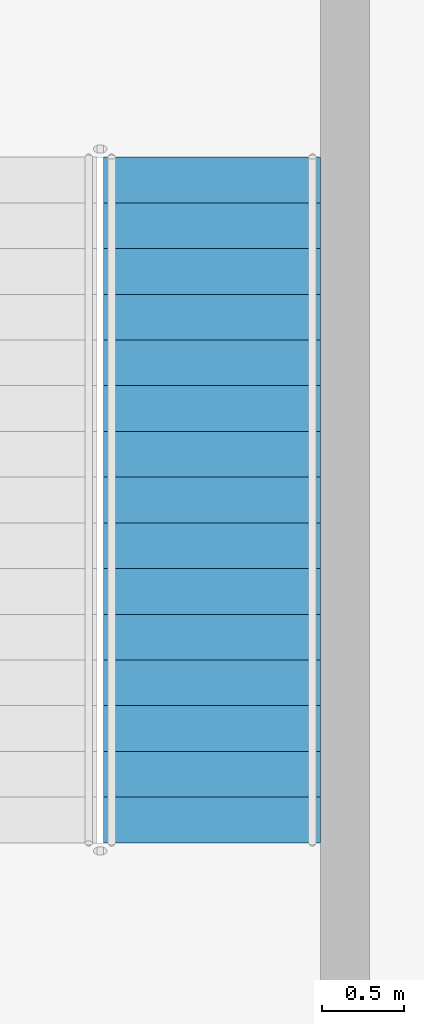
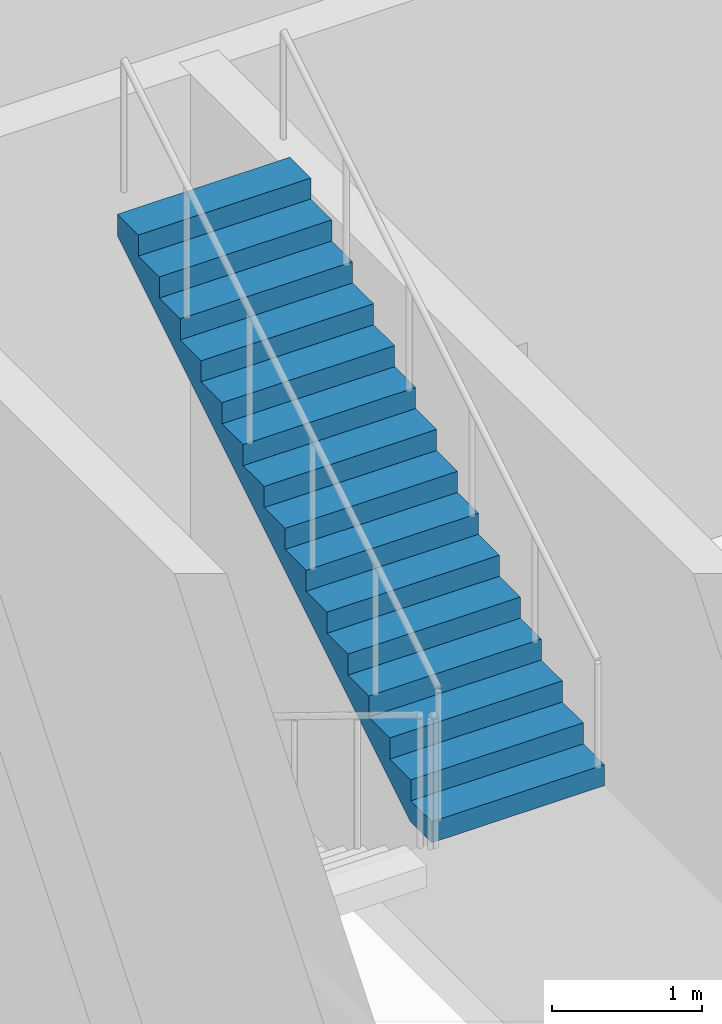
# One storey, part 10 of 23: 1 stair flight, 1 element without a shape of its own.
"""IFC4 building model written with IfcOpenShell, lengths in metres."""

from ifc_helpers import new_model, si_unit, direction, frame, origin, place, context, subcontext, project, spatial, triangles, source, transform, mapped, material, type_object, element, aggregate, save


model = new_model("IFC4")

# Units and contexts
model_context = context("Model", 3, precision=1e-05, world=origin(), true_north=direction((0.0, 1.0)))
body_context = subcontext(model_context, "Body", "Model", "MODEL_VIEW")
ifc_project = project(units=[si_unit("LENGTHUNIT", "METRE"), si_unit("AREAUNIT", "SQUARE_METRE"), si_unit("VOLUMEUNIT", "CUBIC_METRE"), si_unit("PLANEANGLEUNIT", "RADIAN"), si_unit("MASSUNIT", "GRAM", prefix="KILO")], contexts=[model_context])

# Site, building, storey
site_placement = place(None, origin())
site = spatial("IfcSite", under=ifc_project, at=site_placement, CompositionType="ELEMENT")
building_placement = place(site_placement, origin())
building = spatial("IfcBuilding", under=site, at=building_placement, Name="Ogive Portal Towers", CompositionType="ELEMENT")
storey_placement = place(building_placement, frame((0.0, 0.0, 81.60009765625)))
storey = spatial("IfcBuildingStorey", under=building, at=storey_placement, Name="L19", CompositionType="ELEMENT", Elevation=81.60009765625)

# Stair, stair flight
ifc_material = material(Name="Concrete C40/50", Category="concrete")
stair_type = type_object("IfcStairType", Name="INT-STAIR", PredefinedType="HALF_TURN_STAIR", material=ifc_material)
stair_placement = place(storey_placement, origin())
stair = element("IfcStair", 1, at=stair_placement, inside=storey, type_object=stair_type, Name="L19 Exit Stair ST-A4", PredefinedType="HALF_TURN_STAIR")
stair_flight_type = type_object("IfcStairFlightType", Name="INT-FLIGHT", PredefinedType="STRAIGHT", material=ifc_material)
shared_shape = source(origin(), body_context, "Body", "Tessellation", [
    triangles([(0.0, -0.6650390625, 0.0), (0.0, -0.384765625, 0.0), (0.0, -0.197021484375, 0.0), (0.0, -0.0830078125, 0.0), (0.0, -0.024658203125, 0.0), (0.0, -0.003173828125, 0.0), (0.0, 0.0, 0.0), (0.0, 0.003173828125, 0.0), (0.0, 0.024658203125, 0.0), (0.0, 0.0830078125, 0.0), (0.0, 0.197021484375, 0.0), (0.0, 0.384765625, 0.0), (0.0, 0.6650390625, 0.0), (0.0, -0.6650390625, 0.171875), (0.0, -0.384765625, 0.171875), (0.0, -0.197021484375, 0.171875), (0.0, -0.0830078125, 0.171875), (0.0, -0.024658203125, 0.171875), (0.0, -0.003173828125, 0.171875), (0.0, 0.0, 0.171875), (0.0, 0.003173828125, 0.171875), (0.0, 0.024658203125, 0.171875), (0.0, 0.0830078125, 0.171875), (0.0, 0.197021484375, 0.171875), (0.0, 0.384765625, 0.171875), (0.0, 0.6650390625, 0.171875), (0.280029296875, -0.6650390625, 0.171875), (0.280029296875, -0.384765625, 0.171875), (0.280029296875, -0.197021484375, 0.171875), (0.280029296875, -0.0830078125, 0.171875), (0.280029296875, -0.024658203125, 0.171875), (0.280029296875, -0.003173828125, 0.171875), (0.280029296875, 0.0, 0.171875), (0.280029296875, 0.003173828125, 0.171875), (0.280029296875, 0.024658203125, 0.171875), (0.280029296875, 0.0830078125, 0.171875), (0.280029296875, 0.197021484375, 0.171875), (0.280029296875, 0.384765625, 0.171875), (0.280029296875, 0.6650390625, 0.171875), (0.280029296875, -0.6650390625, 0.34375), (0.280029296875, -0.384765625, 0.34375), (0.280029296875, -0.197021484375, 0.34375), (0.280029296875, -0.0830078125, 0.34375), (0.280029296875, -0.024658203125, 0.34375), (0.280029296875, -0.003173828125, 0.34375), (0.280029296875, 0.0, 0.34375), (0.280029296875, 0.003173828125, 0.34375), (0.280029296875, 0.024658203125, 0.34375), (0.280029296875, 0.0830078125, 0.34375), (0.280029296875, 0.197021484375, 0.34375), (0.280029296875, 0.384765625, 0.34375), (0.280029296875, 0.6650390625, 0.34375), (0.56005859375, -0.6650390625, 0.34375), (0.56005859375, -0.384765625, 0.34375), (0.56005859375, -0.197021484375, 0.34375), (0.56005859375, -0.0830078125, 0.34375), (0.56005859375, -0.024658203125, 0.34375), (0.56005859375, -0.003173828125, 0.34375), (0.56005859375, 0.0, 0.34375), (0.56005859375, 0.003173828125, 0.34375), (0.56005859375, 0.024658203125, 0.34375), (0.56005859375, 0.0830078125, 0.34375), (0.56005859375, 0.197021484375, 0.34375), (0.56005859375, 0.384765625, 0.34375), (0.56005859375, 0.6650390625, 0.34375), (0.56005859375, -0.6650390625, 0.515625), (0.56005859375, -0.384765625, 0.515625), (0.56005859375, -0.197021484375, 0.515625), (0.56005859375, -0.0830078125, 0.515625), (0.56005859375, -0.024658203125, 0.515625), (0.56005859375, -0.003173828125, 0.515625), (0.56005859375, 0.0, 0.515625), (0.56005859375, 0.003173828125, 0.515625), (0.56005859375, 0.024658203125, 0.515625), (0.56005859375, 0.0830078125, 0.515625), (0.56005859375, 0.197021484375, 0.515625), (0.56005859375, 0.384765625, 0.515625), (0.56005859375, 0.6650390625, 0.515625), (0.840087890625, -0.6650390625, 0.515625), (0.840087890625, -0.384765625, 0.515625), (0.840087890625, -0.197021484375, 0.515625), (0.840087890625, -0.0830078125, 0.515625), (0.840087890625, -0.024658203125, 0.515625), (0.840087890625, -0.003173828125, 0.515625), (0.840087890625, 0.0, 0.515625), (0.840087890625, 0.003173828125, 0.515625), (0.840087890625, 0.024658203125, 0.515625), (0.840087890625, 0.0830078125, 0.515625), (0.840087890625, 0.197021484375, 0.515625), (0.840087890625, 0.384765625, 0.515625), (0.840087890625, 0.6650390625, 0.515625), (0.840087890625, -0.6650390625, 0.6875), (0.840087890625, -0.384765625, 0.6875), (0.840087890625, -0.197021484375, 0.6875), (0.840087890625, -0.0830078125, 0.6875), (0.840087890625, -0.024658203125, 0.6875), (0.840087890625, -0.003173828125, 0.6875), (0.840087890625, 0.0, 0.6875), (0.840087890625, 0.003173828125, 0.6875), (0.840087890625, 0.024658203125, 0.6875), (0.840087890625, 0.0830078125, 0.6875), (0.840087890625, 0.197021484375, 0.6875), (0.840087890625, 0.384765625, 0.6875), (0.840087890625, 0.6650390625, 0.6875), (1.1201171875, -0.6650390625, 0.6875), (1.1201171875, -0.384765625, 0.6875), (1.1201171875, -0.197021484375, 0.6875), (1.1201171875, -0.0830078125, 0.6875), (1.1201171875, -0.024658203125, 0.6875), (1.1201171875, -0.003173828125, 0.6875), (1.1201171875, 0.0, 0.6875), (1.1201171875, 0.003173828125, 0.6875), (1.1201171875, 0.024658203125, 0.6875), (1.1201171875, 0.0830078125, 0.6875), (1.1201171875, 0.197021484375, 0.6875), (1.1201171875, 0.384765625, 0.6875), (1.1201171875, 0.6650390625, 0.6875), (1.1201171875, -0.6650390625, 0.859375), (1.1201171875, -0.384765625, 0.859375), (1.1201171875, -0.197021484375, 0.859375), (1.1201171875, -0.0830078125, 0.859375), (1.1201171875, -0.024658203125, 0.859375), (1.1201171875, -0.003173828125, 0.859375), (1.1201171875, 0.0, 0.859375), (1.1201171875, 0.003173828125, 0.859375), (1.1201171875, 0.024658203125, 0.859375), (1.1201171875, 0.0830078125, 0.859375), (1.1201171875, 0.197021484375, 0.859375), (1.1201171875, 0.384765625, 0.859375), (1.1201171875, 0.6650390625, 0.859375), (1.39990234375, -0.6650390625, 0.859375), (1.39990234375, -0.384765625, 0.859375), (1.39990234375, -0.197021484375, 0.859375), (1.39990234375, -0.0830078125, 0.859375), (1.39990234375, -0.024658203125, 0.859375), (1.39990234375, -0.003173828125, 0.859375), (1.39990234375, 0.0, 0.859375), (1.39990234375, 0.003173828125, 0.859375), (1.39990234375, 0.024658203125, 0.859375), (1.39990234375, 0.0830078125, 0.859375), (1.39990234375, 0.197021484375, 0.859375), (1.39990234375, 0.384765625, 0.859375), (1.39990234375, 0.6650390625, 0.859375), (1.39990234375, -0.6650390625, 1.03125), (1.39990234375, -0.384765625, 1.03125), (1.39990234375, -0.197021484375, 1.03125), (1.39990234375, -0.0830078125, 1.03125), (1.39990234375, -0.024658203125, 1.03125), (1.39990234375, -0.003173828125, 1.03125), (1.39990234375, 0.0, 1.03125), (1.39990234375, 0.003173828125, 1.03125), (1.39990234375, 0.024658203125, 1.03125), (1.39990234375, 0.0830078125, 1.03125), (1.39990234375, 0.197021484375, 1.03125), (1.39990234375, 0.384765625, 1.03125), (1.39990234375, 0.6650390625, 1.03125), (1.679931640625, -0.6650390625, 1.03125), (1.679931640625, -0.384765625, 1.03125), (1.679931640625, -0.197021484375, 1.03125), (1.679931640625, -0.0830078125, 1.03125), (1.679931640625, -0.024658203125, 1.03125), (1.679931640625, -0.003173828125, 1.03125), (1.679931640625, 0.0, 1.03125), (1.679931640625, 0.003173828125, 1.03125), (1.679931640625, 0.024658203125, 1.03125), (1.679931640625, 0.0830078125, 1.03125), (1.679931640625, 0.197021484375, 1.03125), (1.679931640625, 0.384765625, 1.03125), (1.679931640625, 0.6650390625, 1.03125), (1.679931640625, -0.6650390625, 1.203125), (1.679931640625, -0.384765625, 1.203125), (1.679931640625, -0.197021484375, 1.203125), (1.679931640625, -0.0830078125, 1.203125), (1.679931640625, -0.024658203125, 1.203125), (1.679931640625, -0.003173828125, 1.203125), (1.679931640625, 0.0, 1.203125), (1.679931640625, 0.003173828125, 1.203125), (1.679931640625, 0.024658203125, 1.203125), (1.679931640625, 0.0830078125, 1.203125), (1.679931640625, 0.197021484375, 1.203125), (1.679931640625, 0.384765625, 1.203125), (1.679931640625, 0.6650390625, 1.203125), (1.9599609375, -0.6650390625, 1.203125), (1.9599609375, -0.384765625, 1.203125), (1.9599609375, -0.197021484375, 1.203125), (1.9599609375, -0.0830078125, 1.203125), (1.9599609375, -0.024658203125, 1.203125), (1.9599609375, -0.003173828125, 1.203125), (1.9599609375, 0.0, 1.203125), (1.9599609375, 0.003173828125, 1.203125), (1.9599609375, 0.024658203125, 1.203125), (1.9599609375, 0.0830078125, 1.203125), (1.9599609375, 0.197021484375, 1.203125), (1.9599609375, 0.384765625, 1.203125), (1.9599609375, 0.6650390625, 1.203125), (1.9599609375, -0.6650390625, 1.375), (1.9599609375, -0.384765625, 1.375), (1.9599609375, -0.197021484375, 1.375), (1.9599609375, -0.0830078125, 1.375), (1.9599609375, -0.024658203125, 1.375), (1.9599609375, -0.003173828125, 1.375), (1.9599609375, 0.0, 1.375), (1.9599609375, 0.003173828125, 1.375), (1.9599609375, 0.024658203125, 1.375), (1.9599609375, 0.0830078125, 1.375), (1.9599609375, 0.197021484375, 1.375), (1.9599609375, 0.384765625, 1.375), (1.9599609375, 0.6650390625, 1.375), (2.239990234375, -0.6650390625, 1.375), (2.239990234375, -0.384765625, 1.375), (2.239990234375, -0.197021484375, 1.375), (2.239990234375, -0.0830078125, 1.375), (2.239990234375, -0.024658203125, 1.375), (2.239990234375, -0.003173828125, 1.375), (2.239990234375, 0.0, 1.375), (2.239990234375, 0.003173828125, 1.375), (2.239990234375, 0.024658203125, 1.375), (2.239990234375, 0.0830078125, 1.375), (2.239990234375, 0.197021484375, 1.375), (2.239990234375, 0.384765625, 1.375), (2.239990234375, 0.6650390625, 1.375), (2.239990234375, -0.6650390625, 1.546875), (2.239990234375, -0.384765625, 1.546875), (2.239990234375, -0.197021484375, 1.546875), (2.239990234375, -0.0830078125, 1.546875), (2.239990234375, -0.024658203125, 1.546875), (2.239990234375, -0.003173828125, 1.546875), (2.239990234375, 0.0, 1.546875), (2.239990234375, 0.003173828125, 1.546875), (2.239990234375, 0.024658203125, 1.546875), (2.239990234375, 0.0830078125, 1.546875), (2.239990234375, 0.197021484375, 1.546875), (2.239990234375, 0.384765625, 1.546875), (2.239990234375, 0.6650390625, 1.546875), (2.52001953125, -0.6650390625, 1.546875), (2.52001953125, -0.384765625, 1.546875), (2.52001953125, -0.197021484375, 1.546875), (2.52001953125, -0.0830078125, 1.546875), (2.52001953125, -0.024658203125, 1.546875), (2.52001953125, -0.003173828125, 1.546875), (2.52001953125, 0.0, 1.546875), (2.52001953125, 0.003173828125, 1.546875), (2.52001953125, 0.024658203125, 1.546875), (2.52001953125, 0.0830078125, 1.546875), (2.52001953125, 0.197021484375, 1.546875), (2.52001953125, 0.384765625, 1.546875), (2.52001953125, 0.6650390625, 1.546875), (2.52001953125, -0.6650390625, 1.71875), (2.52001953125, -0.384765625, 1.71875), (2.52001953125, -0.197021484375, 1.71875), (2.52001953125, -0.0830078125, 1.71875), (2.52001953125, -0.024658203125, 1.71875), (2.52001953125, -0.003173828125, 1.71875), (2.52001953125, 0.0, 1.71875), (2.52001953125, 0.003173828125, 1.71875), (2.52001953125, 0.024658203125, 1.71875), (2.52001953125, 0.0830078125, 1.71875), (2.52001953125, 0.197021484375, 1.71875), (2.52001953125, 0.384765625, 1.71875), (2.52001953125, 0.6650390625, 1.71875), (2.800048828125, -0.6650390625, 1.71875), (2.800048828125, -0.384765625, 1.71875), (2.800048828125, -0.197021484375, 1.71875), (2.800048828125, -0.0830078125, 1.71875), (2.800048828125, -0.024658203125, 1.71875), (2.800048828125, -0.003173828125, 1.71875), (2.800048828125, 0.0, 1.71875), (2.800048828125, 0.003173828125, 1.71875), (2.800048828125, 0.024658203125, 1.71875), (2.800048828125, 0.0830078125, 1.71875), (2.800048828125, 0.197021484375, 1.71875), (2.800048828125, 0.384765625, 1.71875), (2.800048828125, 0.6650390625, 1.71875), (2.800048828125, -0.6650390625, 1.890625), (2.800048828125, -0.384765625, 1.890625), (2.800048828125, -0.197021484375, 1.890625), (2.800048828125, -0.0830078125, 1.890625), (2.800048828125, -0.024658203125, 1.890625), (2.800048828125, -0.003173828125, 1.890625), (2.800048828125, 0.0, 1.890625), (2.800048828125, 0.003173828125, 1.890625), (2.800048828125, 0.024658203125, 1.890625), (2.800048828125, 0.0830078125, 1.890625), (2.800048828125, 0.197021484375, 1.890625), (2.800048828125, 0.384765625, 1.890625), (2.800048828125, 0.6650390625, 1.890625), (3.080078125, -0.6650390625, 1.890625), (3.080078125, -0.384765625, 1.890625), (3.080078125, -0.197021484375, 1.890625), (3.080078125, -0.0830078125, 1.890625), (3.080078125, -0.024658203125, 1.890625), (3.080078125, -0.003173828125, 1.890625), (3.080078125, 0.0, 1.890625), (3.080078125, 0.003173828125, 1.890625), (3.080078125, 0.024658203125, 1.890625), (3.080078125, 0.0830078125, 1.890625), (3.080078125, 0.197021484375, 1.890625), (3.080078125, 0.384765625, 1.890625), (3.080078125, 0.6650390625, 1.890625), (3.080078125, -0.6650390625, 2.0625), (3.080078125, -0.384765625, 2.0625), (3.080078125, -0.197021484375, 2.0625), (3.080078125, -0.0830078125, 2.0625), (3.080078125, -0.024658203125, 2.0625), (3.080078125, -0.003173828125, 2.0625), (3.080078125, 0.0, 2.0625), (3.080078125, 0.003173828125, 2.0625), (3.080078125, 0.024658203125, 2.0625), (3.080078125, 0.0830078125, 2.0625), (3.080078125, 0.197021484375, 2.0625), (3.080078125, 0.384765625, 2.0625), (3.080078125, 0.6650390625, 2.0625), (3.360107421875, -0.6650390625, 2.0625), (3.360107421875, -0.384765625, 2.0625), (3.360107421875, -0.197021484375, 2.0625), (3.360107421875, -0.0830078125, 2.0625), (3.360107421875, -0.024658203125, 2.0625), (3.360107421875, -0.003173828125, 2.0625), (3.360107421875, 0.0, 2.0625), (3.360107421875, 0.003173828125, 2.0625), (3.360107421875, 0.024658203125, 2.0625), (3.360107421875, 0.0830078125, 2.0625), (3.360107421875, 0.197021484375, 2.0625), (3.360107421875, 0.384765625, 2.0625), (3.360107421875, 0.6650390625, 2.0625), (3.360107421875, -0.6650390625, 2.234375), (3.360107421875, -0.384765625, 2.234375), (3.360107421875, -0.197021484375, 2.234375), (3.360107421875, -0.0830078125, 2.234375), (3.360107421875, -0.024658203125, 2.234375), (3.360107421875, -0.003173828125, 2.234375), (3.360107421875, 0.0, 2.234375), (3.360107421875, 0.003173828125, 2.234375), (3.360107421875, 0.024658203125, 2.234375), (3.360107421875, 0.0830078125, 2.234375), (3.360107421875, 0.197021484375, 2.234375), (3.360107421875, 0.384765625, 2.234375), (3.360107421875, 0.6650390625, 2.234375), (3.639892578125, -0.6650390625, 2.234375), (3.639892578125, -0.384765625, 2.234375), (3.639892578125, -0.197021484375, 2.234375), (3.639892578125, -0.0830078125, 2.234375), (3.639892578125, -0.024658203125, 2.234375), (3.639892578125, -0.003173828125, 2.234375), (3.639892578125, 0.0, 2.234375), (3.639892578125, 0.003173828125, 2.234375), (3.639892578125, 0.024658203125, 2.234375), (3.639892578125, 0.0830078125, 2.234375), (3.639892578125, 0.197021484375, 2.234375), (3.639892578125, 0.384765625, 2.234375), (3.639892578125, 0.6650390625, 2.234375), (3.639892578125, -0.6650390625, 2.40625), (3.639892578125, -0.384765625, 2.40625), (3.639892578125, -0.197021484375, 2.40625), (3.639892578125, -0.0830078125, 2.40625), (3.639892578125, -0.024658203125, 2.40625), (3.639892578125, -0.003173828125, 2.40625), (3.639892578125, 0.0, 2.40625), (3.639892578125, 0.003173828125, 2.40625), (3.639892578125, 0.024658203125, 2.40625), (3.639892578125, 0.0830078125, 2.40625), (3.639892578125, 0.197021484375, 2.40625), (3.639892578125, 0.384765625, 2.40625), (3.639892578125, 0.6650390625, 2.40625), (3.919921875, -0.6650390625, 2.40625), (3.919921875, -0.384765625, 2.40625), (3.919921875, -0.197021484375, 2.40625), (3.919921875, -0.0830078125, 2.40625), (3.919921875, -0.024658203125, 2.40625), (3.919921875, -0.003173828125, 2.40625), (3.919921875, 0.0, 2.40625), (3.919921875, 0.003173828125, 2.40625), (3.919921875, 0.024658203125, 2.40625), (3.919921875, 0.0830078125, 2.40625), (3.919921875, 0.197021484375, 2.40625), (3.919921875, 0.384765625, 2.40625), (3.919921875, 0.6650390625, 2.40625), (3.919921875, -0.6650390625, 2.578125), (3.919921875, -0.384765625, 2.578125), (3.919921875, -0.197021484375, 2.578125), (3.919921875, -0.0830078125, 2.578125), (3.919921875, -0.024658203125, 2.578125), (3.919921875, -0.003173828125, 2.578125), (3.919921875, 0.0, 2.578125), (3.919921875, 0.003173828125, 2.578125), (3.919921875, 0.024658203125, 2.578125), (3.919921875, 0.0830078125, 2.578125), (3.919921875, 0.197021484375, 2.578125), (3.919921875, 0.384765625, 2.578125), (3.919921875, 0.6650390625, 2.578125), (4.199951171875, -0.6650390625, 2.578125), (4.199951171875, -0.384765625, 2.578125), (4.199951171875, -0.197021484375, 2.578125), (4.199951171875, -0.0830078125, 2.578125), (4.199951171875, -0.024658203125, 2.578125), (4.199951171875, -0.003173828125, 2.578125), (4.199951171875, 0.0, 2.578125), (4.199951171875, 0.003173828125, 2.578125), (4.199951171875, 0.024658203125, 2.578125), (4.199951171875, 0.0830078125, 2.578125), (4.199951171875, 0.197021484375, 2.578125), (4.199951171875, 0.384765625, 2.578125), (4.199951171875, 0.6650390625, 2.578125), (4.199951171875, -0.6650390625, 2.40234375), (4.199951171875, -0.384765625, 2.40234375), (4.199951171875, -0.197021484375, 2.40234375), (4.199951171875, -0.0830078125, 2.40234375), (4.199951171875, -0.024658203125, 2.40234375), (4.199951171875, -0.003173828125, 2.40234375), (4.199951171875, 0.0, 2.40234375), (4.199951171875, 0.003173828125, 2.40234375), (4.199951171875, 0.024658203125, 2.40234375), (4.199951171875, 0.0830078125, 2.40234375), (4.199951171875, 0.197021484375, 2.40234375), (4.199951171875, 0.384765625, 2.40234375), (4.199951171875, 0.6650390625, 2.40234375), (0.28662109375, -0.6650390625, 0.0), (0.28662109375, -0.384765625, 0.0), (0.28662109375, -0.197021484375, 0.0), (0.28662109375, -0.0830078125, 0.0), (0.28662109375, -0.024658203125, 0.0), (0.28662109375, -0.003173828125, 0.0), (0.28662109375, 0.0, 0.0), (0.28662109375, 0.003173828125, 0.0), (0.28662109375, 0.024658203125, 0.0), (0.28662109375, 0.0830078125, 0.0), (0.28662109375, 0.197021484375, 0.0), (0.28662109375, 0.384765625, 0.0), (0.28662109375, 0.6650390625, 0.0)], [[1, 14, 15], [1, 15, 2], [2, 15, 16], [2, 16, 3], [3, 16, 17], [3, 17, 4], [4, 17, 18], [4, 18, 5], [5, 18, 19], [5, 19, 6], [6, 19, 20], [6, 20, 7], [7, 20, 21], [7, 21, 8], [8, 21, 22], [8, 22, 9], [9, 22, 23], [9, 23, 10], [10, 23, 24], [10, 24, 11], [11, 24, 25], [11, 25, 12], [12, 25, 26], [12, 26, 13], [14, 27, 28], [14, 28, 15], [15, 28, 29], [15, 29, 16], [16, 29, 30], [16, 30, 17], [17, 30, 31], [17, 31, 18], [18, 31, 32], [18, 32, 19], [19, 32, 33], [19, 33, 20], [20, 33, 34], [20, 34, 21], [21, 34, 35], [21, 35, 22], [22, 35, 36], [22, 36, 23], [23, 36, 37], [23, 37, 24], [24, 37, 38], [24, 38, 25], [25, 38, 39], [25, 39, 26], [27, 40, 41], [27, 41, 28], [28, 41, 42], [28, 42, 29], [29, 42, 43], [29, 43, 30], [30, 43, 44], [30, 44, 31], [31, 44, 45], [31, 45, 32], [32, 45, 46], [32, 46, 33], [33, 46, 47], [33, 47, 34], [34, 47, 48], [34, 48, 35], [35, 48, 49], [35, 49, 36], [36, 49, 50], [36, 50, 37], [37, 50, 51], [37, 51, 38], [38, 51, 52], [38, 52, 39], [40, 53, 54], [40, 54, 41], [41, 54, 55], [41, 55, 42], [42, 55, 56], [42, 56, 43], [43, 56, 57], [43, 57, 44], [44, 57, 58], [44, 58, 45], [45, 58, 59], [45, 59, 46], [46, 59, 60], [46, 60, 47], [47, 60, 61], [47, 61, 48], [48, 61, 62], [48, 62, 49], [49, 62, 63], [49, 63, 50], [50, 63, 64], [50, 64, 51], [51, 64, 65], [51, 65, 52], [53, 66, 67], [53, 67, 54], [54, 67, 68], [54, 68, 55], [55, 68, 69], [55, 69, 56], [56, 69, 70], [56, 70, 57], [57, 70, 71], [57, 71, 58], [58, 71, 72], [58, 72, 59], [59, 72, 73], [59, 73, 60], [60, 73, 74], [60, 74, 61], [61, 74, 75], [61, 75, 62], [62, 75, 76], [62, 76, 63], [63, 76, 77], [63, 77, 64], [64, 77, 78], [64, 78, 65], [66, 79, 80], [66, 80, 67], [67, 80, 81], [67, 81, 68], [68, 81, 82], [68, 82, 69], [69, 82, 83], [69, 83, 70], [70, 83, 84], [70, 84, 71], [71, 84, 85], [71, 85, 72], [72, 85, 86], [72, 86, 73], [73, 86, 87], [73, 87, 74], [74, 87, 88], [74, 88, 75], [75, 88, 89], [75, 89, 76], [76, 89, 90], [76, 90, 77], [77, 90, 91], [77, 91, 78], [79, 92, 93], [79, 93, 80], [80, 93, 94], [80, 94, 81], [81, 94, 95], [81, 95, 82], [82, 95, 96], [82, 96, 83], [83, 96, 97], [83, 97, 84], [84, 97, 98], [84, 98, 85], [85, 98, 99], [85, 99, 86], [86, 99, 100], [86, 100, 87], [87, 100, 101], [87, 101, 88], [88, 101, 102], [88, 102, 89], [89, 102, 103], [89, 103, 90], [90, 103, 104], [90, 104, 91], [92, 105, 106], [92, 106, 93], [93, 106, 107], [93, 107, 94], [94, 107, 108], [94, 108, 95], [95, 108, 109], [95, 109, 96], [96, 109, 110], [96, 110, 97], [97, 110, 111], [97, 111, 98], [98, 111, 112], [98, 112, 99], [99, 112, 113], [99, 113, 100], [100, 113, 114], [100, 114, 101], [101, 114, 115], [101, 115, 102], [102, 115, 116], [102, 116, 103], [103, 116, 117], [103, 117, 104], [105, 118, 119], [105, 119, 106], [106, 119, 120], [106, 120, 107], [107, 120, 121], [107, 121, 108], [108, 121, 122], [108, 122, 109], [109, 122, 123], [109, 123, 110], [110, 123, 124], [110, 124, 111], [111, 124, 125], [111, 125, 112], [112, 125, 126], [112, 126, 113], [113, 126, 127], [113, 127, 114], [114, 127, 128], [114, 128, 115], [115, 128, 129], [115, 129, 116], [116, 129, 130], [116, 130, 117], [118, 131, 132], [118, 132, 119], [119, 132, 133], [119, 133, 120], [120, 133, 134], [120, 134, 121], [121, 134, 135], [121, 135, 122], [122, 135, 136], [122, 136, 123], [123, 136, 137], [123, 137, 124], [124, 137, 138], [124, 138, 125], [125, 138, 139], [125, 139, 126], [126, 139, 140], [126, 140, 127], [127, 140, 141], [127, 141, 128], [128, 141, 142], [128, 142, 129], [129, 142, 143], [129, 143, 130], [131, 144, 145], [131, 145, 132], [132, 145, 146], [132, 146, 133], [133, 146, 147], [133, 147, 134], [134, 147, 148], [134, 148, 135], [135, 148, 149], [135, 149, 136], [136, 149, 150], [136, 150, 137], [137, 150, 151], [137, 151, 138], [138, 151, 152], [138, 152, 139], [139, 152, 153], [139, 153, 140], [140, 153, 154], [140, 154, 141], [141, 154, 155], [141, 155, 142], [142, 155, 156], [142, 156, 143], [144, 157, 158], [144, 158, 145], [145, 158, 159], [145, 159, 146], [146, 159, 160], [146, 160, 147], [147, 160, 161], [147, 161, 148], [148, 161, 162], [148, 162, 149], [149, 162, 163], [149, 163, 150], [150, 163, 164], [150, 164, 151], [151, 164, 165], [151, 165, 152], [152, 165, 166], [152, 166, 153], [153, 166, 167], [153, 167, 154], [154, 167, 168], [154, 168, 155], [155, 168, 169], [155, 169, 156], [157, 170, 171], [157, 171, 158], [158, 171, 172], [158, 172, 159], [159, 172, 173], [159, 173, 160], [160, 173, 174], [160, 174, 161], [161, 174, 175], [161, 175, 162], [162, 175, 176], [162, 176, 163], [163, 176, 177], [163, 177, 164], [164, 177, 178], [164, 178, 165], [165, 178, 179], [165, 179, 166], [166, 179, 180], [166, 180, 167], [167, 180, 181], [167, 181, 168], [168, 181, 182], [168, 182, 169], [170, 183, 184], [170, 184, 171], [171, 184, 185], [171, 185, 172], [172, 185, 186], [172, 186, 173], [173, 186, 187], [173, 187, 174], [174, 187, 188], [174, 188, 175], [175, 188, 189], [175, 189, 176], [176, 189, 190], [176, 190, 177], [177, 190, 191], [177, 191, 178], [178, 191, 192], [178, 192, 179], [179, 192, 193], [179, 193, 180], [180, 193, 194], [180, 194, 181], [181, 194, 195], [181, 195, 182], [183, 196, 197], [183, 197, 184], [184, 197, 198], [184, 198, 185], [185, 198, 199], [185, 199, 186], [186, 199, 200], [186, 200, 187], [187, 200, 201], [187, 201, 188], [188, 201, 202], [188, 202, 189], [189, 202, 203], [189, 203, 190], [190, 203, 204], [190, 204, 191], [191, 204, 205], [191, 205, 192], [192, 205, 206], [192, 206, 193], [193, 206, 207], [193, 207, 194], [194, 207, 208], [194, 208, 195], [196, 209, 210], [196, 210, 197], [197, 210, 211], [197, 211, 198], [198, 211, 212], [198, 212, 199], [199, 212, 213], [199, 213, 200], [200, 213, 214], [200, 214, 201], [201, 214, 215], [201, 215, 202], [202, 215, 216], [202, 216, 203], [203, 216, 217], [203, 217, 204], [204, 217, 218], [204, 218, 205], [205, 218, 219], [205, 219, 206], [206, 219, 220], [206, 220, 207], [207, 220, 221], [207, 221, 208], [209, 222, 223], [209, 223, 210], [210, 223, 224], [210, 224, 211], [211, 224, 225], [211, 225, 212], [212, 225, 226], [212, 226, 213], [213, 226, 227], [213, 227, 214], [214, 227, 228], [214, 228, 215], [215, 228, 229], [215, 229, 216], [216, 229, 230], [216, 230, 217], [217, 230, 231], [217, 231, 218], [218, 231, 232], [218, 232, 219], [219, 232, 233], [219, 233, 220], [220, 233, 234], [220, 234, 221], [222, 235, 236], [222, 236, 223], [223, 236, 237], [223, 237, 224], [224, 237, 238], [224, 238, 225], [225, 238, 239], [225, 239, 226], [226, 239, 240], [226, 240, 227], [227, 240, 241], [227, 241, 228], [228, 241, 242], [228, 242, 229], [229, 242, 243], [229, 243, 230], [230, 243, 244], [230, 244, 231], [231, 244, 245], [231, 245, 232], [232, 245, 246], [232, 246, 233], [233, 246, 247], [233, 247, 234], [235, 248, 249], [235, 249, 236], [236, 249, 250], [236, 250, 237], [237, 250, 251], [237, 251, 238], [238, 251, 252], [238, 252, 239], [239, 252, 253], [239, 253, 240], [240, 253, 254], [240, 254, 241], [241, 254, 255], [241, 255, 242], [242, 255, 256], [242, 256, 243], [243, 256, 257], [243, 257, 244], [244, 257, 258], [244, 258, 245], [245, 258, 259], [245, 259, 246], [246, 259, 260], [246, 260, 247], [248, 261, 262], [248, 262, 249], [249, 262, 263], [249, 263, 250], [250, 263, 264], [250, 264, 251], [251, 264, 265], [251, 265, 252], [252, 265, 266], [252, 266, 253], [253, 266, 267], [253, 267, 254], [254, 267, 268], [254, 268, 255], [255, 268, 269], [255, 269, 256], [256, 269, 270], [256, 270, 257], [257, 270, 271], [257, 271, 258], [258, 271, 272], [258, 272, 259], [259, 272, 273], [259, 273, 260], [261, 274, 275], [261, 275, 262], [262, 275, 276], [262, 276, 263], [263, 276, 277], [263, 277, 264], [264, 277, 278], [264, 278, 265], [265, 278, 279], [265, 279, 266], [266, 279, 280], [266, 280, 267], [267, 280, 281], [267, 281, 268], [268, 281, 282], [268, 282, 269], [269, 282, 283], [269, 283, 270], [270, 283, 284], [270, 284, 271], [271, 284, 285], [271, 285, 272], [272, 285, 286], [272, 286, 273], [274, 287, 288], [274, 288, 275], [275, 288, 289], [275, 289, 276], [276, 289, 290], [276, 290, 277], [277, 290, 291], [277, 291, 278], [278, 291, 292], [278, 292, 279], [279, 292, 293], [279, 293, 280], [280, 293, 294], [280, 294, 281], [281, 294, 295], [281, 295, 282], [282, 295, 296], [282, 296, 283], [283, 296, 297], [283, 297, 284], [284, 297, 298], [284, 298, 285], [285, 298, 299], [285, 299, 286], [287, 300, 301], [287, 301, 288], [288, 301, 302], [288, 302, 289], [289, 302, 303], [289, 303, 290], [290, 303, 304], [290, 304, 291], [291, 304, 305], [291, 305, 292], [292, 305, 306], [292, 306, 293], [293, 306, 307], [293, 307, 294], [294, 307, 308], [294, 308, 295], [295, 308, 309], [295, 309, 296], [296, 309, 310], [296, 310, 297], [297, 310, 311], [297, 311, 298], [298, 311, 312], [298, 312, 299], [300, 313, 314], [300, 314, 301], [301, 314, 315], [301, 315, 302], [302, 315, 316], [302, 316, 303], [303, 316, 317], [303, 317, 304], [304, 317, 318], [304, 318, 305], [305, 318, 319], [305, 319, 306], [306, 319, 320], [306, 320, 307], [307, 320, 321], [307, 321, 308], [308, 321, 322], [308, 322, 309], [309, 322, 323], [309, 323, 310], [310, 323, 324], [310, 324, 311], [311, 324, 325], [311, 325, 312], [313, 326, 327], [313, 327, 314], [314, 327, 328], [314, 328, 315], [315, 328, 329], [315, 329, 316], [316, 329, 330], [316, 330, 317], [317, 330, 331], [317, 331, 318], [318, 331, 332], [318, 332, 319], [319, 332, 333], [319, 333, 320], [320, 333, 334], [320, 334, 321], [321, 334, 335], [321, 335, 322], [322, 335, 336], [322, 336, 323], [323, 336, 337], [323, 337, 324], [324, 337, 338], [324, 338, 325], [326, 339, 340], [326, 340, 327], [327, 340, 341], [327, 341, 328], [328, 341, 342], [328, 342, 329], [329, 342, 343], [329, 343, 330], [330, 343, 344], [330, 344, 331], [331, 344, 345], [331, 345, 332], [332, 345, 346], [332, 346, 333], [333, 346, 347], [333, 347, 334], [334, 347, 348], [334, 348, 335], [335, 348, 349], [335, 349, 336], [336, 349, 350], [336, 350, 337], [337, 350, 351], [337, 351, 338], [339, 352, 353], [339, 353, 340], [340, 353, 354], [340, 354, 341], [341, 354, 355], [341, 355, 342], [342, 355, 356], [342, 356, 343], [343, 356, 357], [343, 357, 344], [344, 357, 358], [344, 358, 345], [345, 358, 359], [345, 359, 346], [346, 359, 360], [346, 360, 347], [347, 360, 361], [347, 361, 348], [348, 361, 362], [348, 362, 349], [349, 362, 363], [349, 363, 350], [350, 363, 364], [350, 364, 351], [352, 365, 366], [352, 366, 353], [353, 366, 367], [353, 367, 354], [354, 367, 368], [354, 368, 355], [355, 368, 369], [355, 369, 356], [356, 369, 370], [356, 370, 357], [357, 370, 371], [357, 371, 358], [358, 371, 372], [358, 372, 359], [359, 372, 373], [359, 373, 360], [360, 373, 374], [360, 374, 361], [361, 374, 375], [361, 375, 362], [362, 375, 376], [362, 376, 363], [363, 376, 377], [363, 377, 364], [365, 378, 379], [365, 379, 366], [366, 379, 380], [366, 380, 367], [367, 380, 381], [367, 381, 368], [368, 381, 382], [368, 382, 369], [369, 382, 383], [369, 383, 370], [370, 383, 384], [370, 384, 371], [371, 384, 385], [371, 385, 372], [372, 385, 386], [372, 386, 373], [373, 386, 387], [373, 387, 374], [374, 387, 388], [374, 388, 375], [375, 388, 389], [375, 389, 376], [376, 389, 390], [376, 390, 377], [378, 391, 392], [378, 392, 379], [379, 392, 393], [379, 393, 380], [380, 393, 394], [380, 394, 381], [381, 394, 395], [381, 395, 382], [382, 395, 396], [382, 396, 383], [383, 396, 397], [383, 397, 384], [384, 397, 398], [384, 398, 385], [385, 398, 399], [385, 399, 386], [386, 399, 400], [386, 400, 387], [387, 400, 401], [387, 401, 388], [388, 401, 402], [388, 402, 389], [389, 402, 403], [389, 403, 390], [391, 404, 405], [391, 405, 392], [392, 405, 406], [392, 406, 393], [393, 406, 407], [393, 407, 394], [394, 407, 408], [394, 408, 395], [395, 408, 409], [395, 409, 396], [396, 409, 410], [396, 410, 397], [397, 410, 411], [397, 411, 398], [398, 411, 412], [398, 412, 399], [399, 412, 413], [399, 413, 400], [400, 413, 414], [400, 414, 401], [401, 414, 415], [401, 415, 402], [402, 415, 416], [402, 416, 403], [404, 417, 418], [404, 418, 405], [405, 418, 419], [405, 419, 406], [406, 419, 420], [406, 420, 407], [407, 420, 421], [407, 421, 408], [408, 421, 422], [408, 422, 409], [409, 422, 423], [409, 423, 410], [410, 423, 424], [410, 424, 411], [411, 424, 425], [411, 425, 412], [412, 425, 426], [412, 426, 413], [413, 426, 427], [413, 427, 414], [414, 427, 428], [414, 428, 415], [415, 428, 429], [415, 429, 416], [417, 1, 2], [417, 2, 418], [418, 2, 3], [418, 3, 419], [419, 3, 4], [419, 4, 420], [420, 4, 5], [420, 5, 421], [421, 5, 6], [421, 6, 422], [422, 6, 7], [422, 7, 423], [423, 7, 8], [423, 8, 424], [424, 8, 9], [424, 9, 425], [425, 9, 10], [425, 10, 426], [426, 10, 11], [426, 11, 427], [427, 11, 12], [427, 12, 428], [428, 12, 13], [428, 13, 429], [1, 417, 404], [13, 416, 429], [404, 391, 378], [416, 390, 403], [404, 378, 365], [416, 377, 390], [404, 365, 352], [416, 364, 377], [404, 352, 339], [416, 351, 364], [339, 326, 313], [351, 325, 338], [404, 339, 313], [416, 325, 351], [313, 300, 287], [325, 299, 312], [404, 313, 287], [416, 299, 325], [287, 274, 261], [299, 273, 286], [404, 287, 261], [416, 273, 299], [261, 248, 235], [273, 247, 260], [404, 261, 235], [416, 247, 273], [235, 222, 209], [247, 221, 234], [404, 235, 209], [416, 221, 247], [209, 196, 183], [221, 195, 208], [404, 209, 183], [416, 195, 221], [183, 170, 157], [195, 169, 182], [404, 183, 157], [416, 169, 195], [157, 144, 131], [169, 143, 156], [404, 157, 131], [416, 143, 169], [131, 118, 105], [143, 117, 130], [404, 131, 105], [416, 117, 143], [105, 92, 79], [117, 91, 104], [404, 105, 79], [416, 91, 117], [79, 66, 53], [91, 65, 78], [404, 79, 53], [416, 65, 91], [53, 40, 27], [65, 39, 52], [404, 53, 27], [416, 39, 65], [1, 404, 27], [13, 39, 416], [27, 14, 1], [39, 13, 26]], closed=True),
])
stair_flight_placement = place(storey_placement, frame((89.034912109375, 24.969970703125, 2.75), z_axis=(0.0, 0.0, 1.0), x_axis=(0.0, 1.0, 0.0)))
stair_flight = element("IfcStairFlight", 2, at=stair_flight_placement, type_object=stair_flight_type, Name="ST-A4 flight 2", NumberOfRisers=16, NumberOfTreads=15, PredefinedType="STRAIGHT", RiserHeight=0.171875, TreadLength=0.28, context=body_context, shape_type="MappedRepresentation", body=[
    mapped(shared_shape, transform((0.0, 0.0, 0.0), scale=1.0)),
])
aggregate(stair, [stair_flight])

save(model, "model.ifc")
